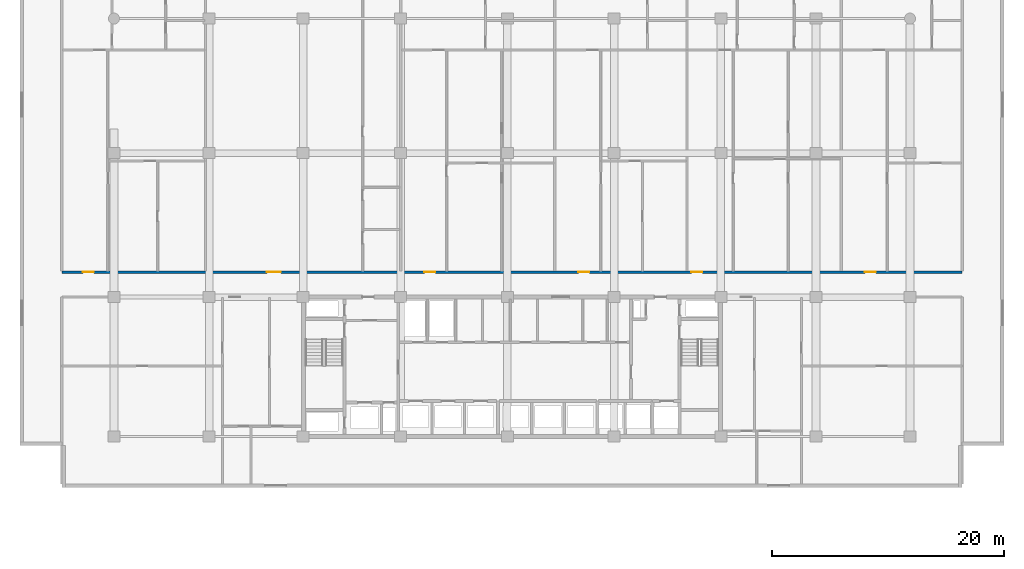
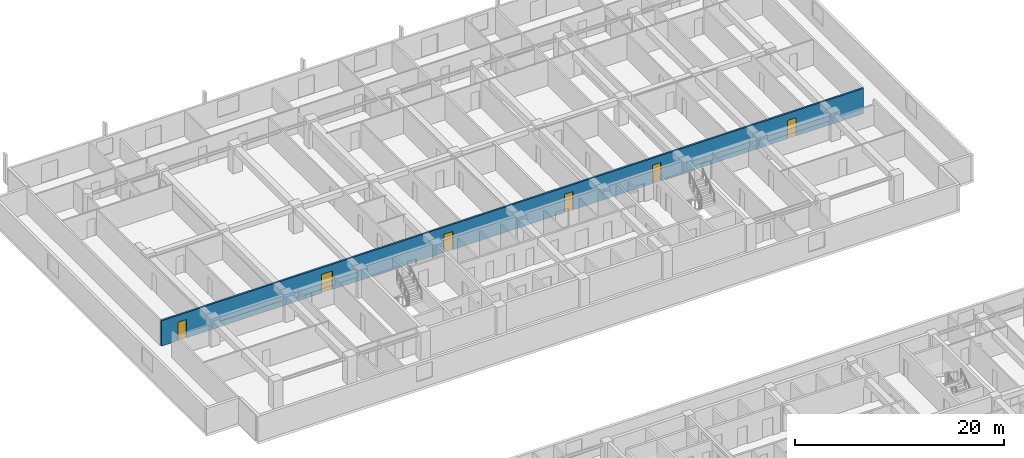
# One storey, part 13 of 23: 6 doors, 1 wall, 6 openings.
"""IFC4 building model written with IfcOpenShell, lengths in metres."""

from ifc_helpers import new_model, si_unit, direction, frame, frame_2d, origin, place, context, subcontext, project, spatial, rectangle, extrude, material, layer, layer_set, type_object, element, fill, save


model = new_model("IFC4")

# Units and contexts
model_context = context("Model", 3, precision=1e-05, world=origin(), true_north=direction((0.0, 1.0)))
body_context = subcontext(model_context, "Body", "Model", "MODEL_VIEW")
ifc_project = project(units=[si_unit("LENGTHUNIT", "METRE"), si_unit("AREAUNIT", "SQUARE_METRE"), si_unit("VOLUMEUNIT", "CUBIC_METRE"), si_unit("PLANEANGLEUNIT", "RADIAN"), si_unit("MASSUNIT", "GRAM", prefix="KILO")], contexts=[model_context])

# Site, building, storey
site_placement = place(None, origin())
site = spatial("IfcSite", under=ifc_project, at=site_placement, CompositionType="ELEMENT")
building_placement = place(site_placement, origin())
building = spatial("IfcBuilding", under=site, at=building_placement, Name="Korimba Cascade Residences", CompositionType="ELEMENT")
storey_placement = place(building_placement, frame((0.0, 0.0, 40.25)))
storey = spatial("IfcBuildingStorey", under=building, at=storey_placement, Name="L10", CompositionType="ELEMENT", Elevation=40.25)

# Wall, openings, doors
ifc_material_1 = material(Name="Precast concrete C40/50", Category="concrete")
ifc_layer = layer(ifc_material_1, 0.199951171875)
ifc_layer_set = layer_set([ifc_layer], Name="Precast concrete C40/50")
wall_type = type_object("IfcWallType", Name="WAL-IT-200", PredefinedType="PARTITIONING", material=ifc_layer_set)
wall_placement = place(storey_placement, frame((55.300048828125, 69.35009765625, 0.0), z_axis=(0.0, 0.0, 1.0), x_axis=(1.0, 0.0, 0.0)))
wall = element("IfcWall", 1, at=wall_placement, inside=storey, type_object=wall_type, Name="L10 Partition Wall WAL-L10-T1-CORN", PredefinedType="PARTITIONING", context=body_context, shape_type="SweptSolid", body=[
    extrude(rectangle(XDim=77.599853515625, YDim=0.199951171875, at=frame_2d((38.7998046875, 0.0))), origin(), (0.0, 0.0, 1.0), 2.969970703125),
])
opening_1_placement = place(wall_placement, frame((1.81005859375, 0.0, 0.0)))
opening_1 = element("IfcOpeningElement", 2, at=opening_1_placement, cuts=wall, Name="Opening D-UN1", PredefinedType="OPENING", context=body_context, shape_type="SweptSolid", body=[
    extrude(rectangle(XDim=0.949951171875, YDim=2.14990234375, at=frame_2d((0.47509765625, 1.074951171875))), frame((0.0, 0.10986328125, 0.0), z_axis=(0.0, -1.0, 0.0), x_axis=(1.0, 0.0, 0.0)), (0.0, 0.0, 1.0), 0.219970703125),
])
opening_2_placement = place(wall_placement, frame((17.668212890625, 0.0, 0.0)))
opening_2 = element("IfcOpeningElement", 3, at=opening_2_placement, cuts=wall, Name="Opening D-AM1", PredefinedType="OPENING", context=body_context, shape_type="SweptSolid", body=[
    extrude(rectangle(XDim=1.219970703125, YDim=2.179931640625, at=frame_2d((0.60986328125, 1.08984375))), frame((0.0, 0.10986328125, 0.0), z_axis=(0.0, -1.0, 0.0), x_axis=(1.0, 0.0, 0.0)), (0.0, 0.0, 1.0), 0.219970703125),
])
opening_3_placement = place(wall_placement, frame((31.244384765625, 0.0, 0.0)))
opening_3 = element("IfcOpeningElement", 4, at=opening_3_placement, cuts=wall, Name="Opening D-UN1", PredefinedType="OPENING", context=body_context, shape_type="SweptSolid", body=[
    extrude(rectangle(XDim=0.949951171875, YDim=2.14990234375, at=frame_2d((0.47509765625, 1.074951171875))), frame((0.0, 0.10986328125, 0.0), z_axis=(0.0, -1.0, 0.0), x_axis=(1.0, 0.0, 0.0)), (0.0, 0.0, 1.0), 0.219970703125),
])
opening_4_placement = place(wall_placement, frame((44.527099609375, 0.0, 0.0)))
opening_4 = element("IfcOpeningElement", 5, at=opening_4_placement, cuts=wall, Name="Opening D-UN1", PredefinedType="OPENING", context=body_context, shape_type="SweptSolid", body=[
    extrude(rectangle(XDim=0.949951171875, YDim=2.14990234375, at=frame_2d((0.47509765625, 1.074951171875))), frame((0.0, 0.10986328125, 0.0), z_axis=(0.0, -1.0, 0.0), x_axis=(1.0, 0.0, 0.0)), (0.0, 0.0, 1.0), 0.219970703125),
])
opening_5_placement = place(wall_placement, frame((54.257080078125, 0.0, 0.0)))
opening_5 = element("IfcOpeningElement", 6, at=opening_5_placement, cuts=wall, Name="Opening D-UN1", PredefinedType="OPENING", context=body_context, shape_type="SweptSolid", body=[
    extrude(rectangle(XDim=0.949951171875, YDim=2.14990234375, at=frame_2d((0.47509765625, 1.074951171875))), frame((0.0, 0.10986328125, 0.0), z_axis=(0.0, -1.0, 0.0), x_axis=(1.0, 0.0, 0.0)), (0.0, 0.0, 1.0), 0.219970703125),
])
opening_6_placement = place(wall_placement, frame((69.21484375, 0.0, 0.0)))
opening_6 = element("IfcOpeningElement", 7, at=opening_6_placement, cuts=wall, Name="Opening D-UN1", PredefinedType="OPENING", context=body_context, shape_type="SweptSolid", body=[
    extrude(rectangle(XDim=0.949951171875, YDim=2.14990234375, at=frame_2d((0.47509765625, 1.074951171875))), frame((0.0, 0.10986328125, 0.0), z_axis=(0.0, -1.0, 0.0), x_axis=(1.0, 0.0, 0.0)), (0.0, 0.0, 1.0), 0.219970703125),
])
ifc_material_2 = material(Name="Fire-Rated Glazed Timber Suite Door", Category="wood")
door_type_1 = type_object("IfcDoorType", Name="DR-FD60-1200", OperationType="NOTDEFINED", PredefinedType="DOOR", material=ifc_material_2)
door_1_placement = place(opening_2_placement, origin())
door_1 = element("IfcDoor", 8, at=door_1_placement, inside=storey, type_object=door_type_1, Name="L10-T1-U02 Business Collaboration Office Door", OperationType="SINGLE_SWING_LEFT", OverallHeight=2.179931640625, OverallWidth=1.219970703125, PredefinedType="DOOR", context=body_context, shape_type="SweptSolid", body=[
    extrude(rectangle(XDim=1.219970703125, YDim=2.179931640625, at=frame_2d((0.60986328125, 1.08984375))), frame((0.0, 0.02490234375, 0.0), z_axis=(0.0, -1.0, 0.0), x_axis=(1.0, 0.0, 0.0)), (0.0, 0.0, 1.0), 0.050048828125),
])
fill(opening_2, door_1)
ifc_material_3 = material(Name="Fire-Rated Hardwood Apartment Entrance Door", Category="wood")
door_type_2 = type_object("IfcDoorType", Name="DR-FD60-950", OperationType="NOTDEFINED", PredefinedType="DOOR", material=ifc_material_3)
door_2_placement = place(opening_1_placement, origin())
door_2 = element("IfcDoor", 9, at=door_2_placement, inside=storey, type_object=door_type_2, Name="Unit L10-T1-U01 Entrance Door", OperationType="SINGLE_SWING_RIGHT", OverallHeight=2.14990234375, OverallWidth=0.949951171875, PredefinedType="DOOR", context=body_context, shape_type="SweptSolid", body=[
    extrude(rectangle(XDim=0.949951171875, YDim=2.14990234375, at=frame_2d((0.47509765625, 1.074951171875))), frame((0.0, 0.02490234375, 0.0), z_axis=(0.0, -1.0, 0.0), x_axis=(1.0, 0.0, 0.0)), (0.0, 0.0, 1.0), 0.050048828125),
])
fill(opening_1, door_2)
door_3_placement = place(opening_3_placement, origin())
door_3 = element("IfcDoor", 10, at=door_3_placement, inside=storey, type_object=door_type_2, Name="Unit L10-T1-U03 Entrance Door", OperationType="SINGLE_SWING_RIGHT", OverallHeight=2.14990234375, OverallWidth=0.949951171875, PredefinedType="DOOR", context=body_context, shape_type="SweptSolid", body=[
    extrude(rectangle(XDim=0.949951171875, YDim=2.14990234375, at=frame_2d((0.47509765625, 1.074951171875))), frame((0.0, 0.02490234375, 0.0), z_axis=(0.0, -1.0, 0.0), x_axis=(1.0, 0.0, 0.0)), (0.0, 0.0, 1.0), 0.050048828125),
])
fill(opening_3, door_3)
door_4_placement = place(opening_4_placement, origin())
door_4 = element("IfcDoor", 11, at=door_4_placement, inside=storey, type_object=door_type_2, Name="Unit L10-T1-U04 Entrance Door", OperationType="SINGLE_SWING_LEFT", OverallHeight=2.14990234375, OverallWidth=0.949951171875, PredefinedType="DOOR", context=body_context, shape_type="SweptSolid", body=[
    extrude(rectangle(XDim=0.949951171875, YDim=2.14990234375, at=frame_2d((0.47509765625, 1.074951171875))), frame((0.0, 0.02490234375, 0.0), z_axis=(0.0, -1.0, 0.0), x_axis=(1.0, 0.0, 0.0)), (0.0, 0.0, 1.0), 0.050048828125),
])
fill(opening_4, door_4)
door_5_placement = place(opening_5_placement, origin())
door_5 = element("IfcDoor", 12, at=door_5_placement, inside=storey, type_object=door_type_2, Name="Unit L10-T1-U05 Entrance Door", OperationType="SINGLE_SWING_RIGHT", OverallHeight=2.14990234375, OverallWidth=0.949951171875, PredefinedType="DOOR", context=body_context, shape_type="SweptSolid", body=[
    extrude(rectangle(XDim=0.949951171875, YDim=2.14990234375, at=frame_2d((0.47509765625, 1.074951171875))), frame((0.0, 0.02490234375, 0.0), z_axis=(0.0, -1.0, 0.0), x_axis=(1.0, 0.0, 0.0)), (0.0, 0.0, 1.0), 0.050048828125),
])
fill(opening_5, door_5)
door_6_placement = place(opening_6_placement, origin())
door_6 = element("IfcDoor", 13, at=door_6_placement, inside=storey, type_object=door_type_2, Name="Unit L10-T1-U06 Entrance Door", OperationType="SINGLE_SWING_LEFT", OverallHeight=2.14990234375, OverallWidth=0.949951171875, PredefinedType="DOOR", context=body_context, shape_type="SweptSolid", body=[
    extrude(rectangle(XDim=0.949951171875, YDim=2.14990234375, at=frame_2d((0.47509765625, 1.074951171875))), frame((0.0, 0.02490234375, 0.0), z_axis=(0.0, -1.0, 0.0), x_axis=(1.0, 0.0, 0.0)), (0.0, 0.0, 1.0), 0.050048828125),
])
fill(opening_6, door_6)

save(model, "model.ifc")
